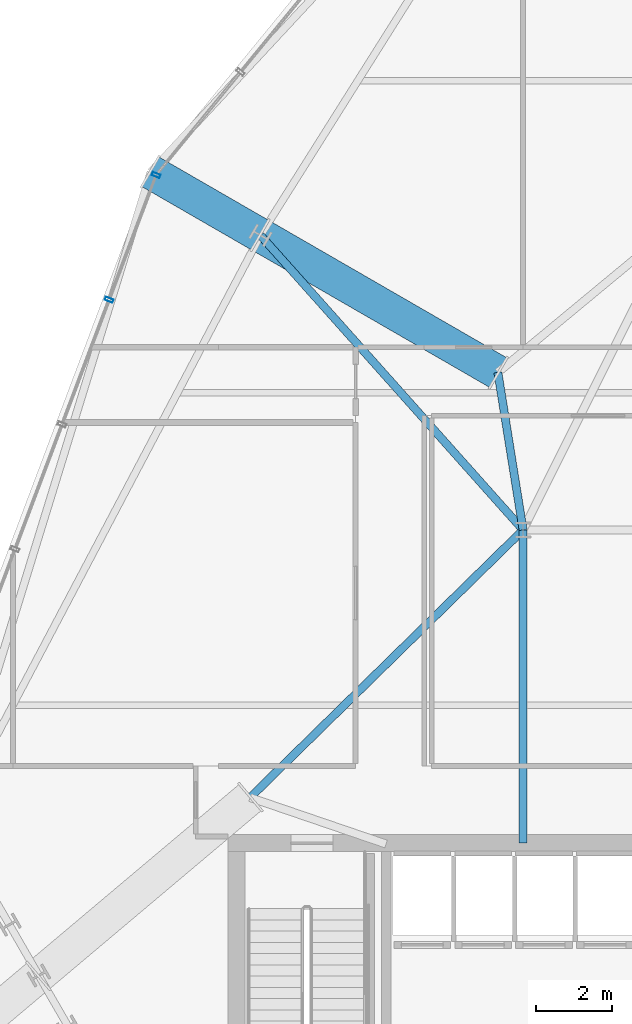
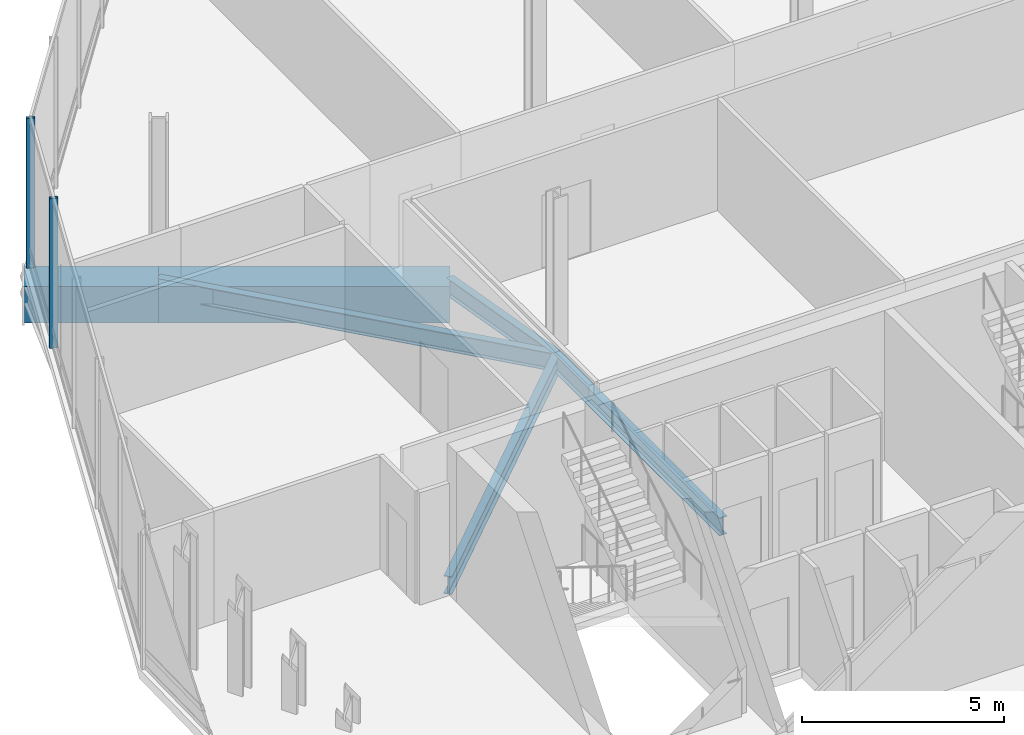
# One storey, part 7 of 26: 6 beams, 2 members, 1 element without a shape of its own.
"""IFC4 building model written with IfcOpenShell, lengths in metres."""

from ifc_helpers import new_model, si_unit, direction, frame, origin, origin_2d, place, context, subcontext, project, spatial, hollow_rectangle, i_section, extrude, material, layer, layer_set, material_profile, profile_set, type_object, element, aggregate, save


model = new_model("IFC4")

# Units and contexts
model_context = context("Model", 3, precision=1e-05, world=origin(), true_north=direction((0.0, 1.0)))
body_context = subcontext(model_context, "Body", "Model", "MODEL_VIEW")
ifc_project = project(units=[si_unit("LENGTHUNIT", "METRE"), si_unit("AREAUNIT", "SQUARE_METRE"), si_unit("VOLUMEUNIT", "CUBIC_METRE"), si_unit("PLANEANGLEUNIT", "RADIAN"), si_unit("MASSUNIT", "GRAM", prefix="KILO")], contexts=[model_context])

# Site, building, storey
site_placement = place(None, origin())
site = spatial("IfcSite", under=ifc_project, at=site_placement, CompositionType="ELEMENT")
building_placement = place(site_placement, origin())
building = spatial("IfcBuilding", under=site, at=building_placement, Name="Ndaravel Arena Tower", CompositionType="ELEMENT")
storey_placement = place(building_placement, frame((0.0, 0.0, 117.39990234375)))
storey = spatial("IfcBuildingStorey", under=building, at=storey_placement, Name="L27", CompositionType="ELEMENT", Elevation=117.39990234375)

# Beams
ifc_material_1 = material(Name="Steel S355", Category="steel")
ifc_material_profile_1 = material_profile(ifc_material_1, i_section(OverallWidth=0.210693359375, OverallDepth=0.53955078125, WebThickness=0.01171875, FlangeThickness=0.018798828125, FilletRadius=0.0126953125, at=origin_2d()), Name="UB 533x210x109")
ifc_profile_set_1 = profile_set([ifc_material_profile_1], Name="Steel S355")
beam_type_1 = type_object("IfcBeamType", Name="BM-GIRD-UB533", PredefinedType="BEAM", material=ifc_profile_set_1)
beam_1_placement = place(storey_placement, frame((27.3017578125, 30.938232421875, -0.549560546875), z_axis=(0.665425873653, -0.746463935279, 0.0), x_axis=(0.746463935279, 0.665425873653, 0.0)))
element("IfcBeam", 1, at=beam_1_placement, inside=storey, type_object=beam_type_1, Name="L27 Radial Floor Girder FG-19", PredefinedType="BEAM", context=body_context, shape_type="SweptSolid", body=[
    extrude(i_section(OverallWidth=0.210693359375, OverallDepth=0.53955078125, WebThickness=0.01171875, FlangeThickness=0.018798828125, FilletRadius=0.0126953125, at=origin_2d()), origin(), (0.0, 0.0, 1.0), 10.36669921875),
])
beam_2_placement = place(storey_placement, frame((34.199951171875, 14.97998046875, -0.549560546875), z_axis=(0.0, 1.0, 0.0), x_axis=(-1.0, 0.0, 0.0)))
element("IfcBeam", 2, at=beam_2_placement, inside=storey, type_object=beam_type_1, Name="L27 Spine Link Girder SLG-01", PredefinedType="BEAM", context=body_context, shape_type="SweptSolid", body=[
    extrude(i_section(OverallWidth=0.210693359375, OverallDepth=0.53955078125, WebThickness=0.01171875, FlangeThickness=0.018798828125, FilletRadius=0.0126953125, at=origin_2d()), origin(), (0.0, 0.0, 1.0), 8.219970703125),
])
beam_3_placement = place(storey_placement, frame((27.028076171875, 16.16943359375, -0.549560546875), z_axis=(0.714109294942, 0.700034224076, 0.0), x_axis=(-0.700034224076, 0.714109294942, 0.0)))
element("IfcBeam", 3, at=beam_3_placement, inside=storey, type_object=beam_type_1, Name="L27 Star Backspan Anchor Tie SAT2-1", PredefinedType="BEAM", context=body_context, shape_type="SweptSolid", body=[
    extrude(i_section(OverallWidth=0.210693359375, OverallDepth=0.53955078125, WebThickness=0.01171875, FlangeThickness=0.018798828125, FilletRadius=0.0126953125, at=origin_2d()), origin(), (0.0, 0.0, 1.0), 10.043212890625),
])
beam_4_placement = place(storey_placement, frame((34.199951171875, 23.199951171875, -0.549560546875), z_axis=(-0.158151802814, 0.987414810131, 0.0), x_axis=(-0.987414810131, -0.158151802814, 0.0)))
element("IfcBeam", 4, at=beam_4_placement, inside=storey, type_object=beam_type_1, Name="L27 Star Backspan Anchor Tie SAT1-6", PredefinedType="BEAM", context=body_context, shape_type="SweptSolid", body=[
    extrude(i_section(OverallWidth=0.210693359375, OverallDepth=0.53955078125, WebThickness=0.01171875, FlangeThickness=0.018798828125, FilletRadius=0.0126953125, at=origin_2d()), origin(), (0.0, 0.0, 1.0), 4.191162109375),
])
ifc_material_2 = material(Name="Steel S460", Category="steel")
ifc_material_profile_2 = material_profile(ifc_material_2, hollow_rectangle(XDim=0.89990234375, YDim=1.10009765625, WallThickness=0.06494140625, at=origin_2d()), Name="BOX 1100x900x65")
ifc_profile_set_2 = profile_set([ifc_material_profile_2], Name="Steel S460")
beam_type_2 = type_object("IfcBeamType", Name="BM-STAR-BOX1100", PredefinedType="BEAM", material=ifc_profile_set_2)
beam_5_placement = place(storey_placement, frame((33.537109375, 27.33837890625, -0.829833984375), z_axis=(-0.866033125095, 0.499986626058, 0.0), x_axis=(-0.499986626058, -0.866033125095, 0.0)))
element("IfcBeam", 5, at=beam_5_placement, inside=storey, type_object=beam_type_2, Name="L27 Star Cantilever Backspan Girder SBG-6", PredefinedType="BEAM", context=body_context, shape_type="SweptSolid", body=[
    extrude(hollow_rectangle(XDim=0.89990234375, YDim=1.10009765625, WallThickness=0.06494140625, at=origin_2d()), origin(), (0.0, 0.0, 1.0), 7.199951171875),
])
beam_6_placement = place(storey_placement, frame((27.3017578125, 30.938232421875, -0.829833984375), z_axis=(-0.866032982159, 0.499986873641, 0.0), x_axis=(-0.499986873641, -0.866032982159, 0.0)))
element("IfcBeam", 6, at=beam_6_placement, inside=storey, type_object=beam_type_2, Name="L27 Star Cantilever Tip Girder SCG-6", PredefinedType="BEAM", context=body_context, shape_type="SweptSolid", body=[
    extrude(hollow_rectangle(XDim=0.89990234375, YDim=1.10009765625, WallThickness=0.06494140625, at=origin_2d()), origin(), (0.0, 0.0, 1.0), 3.330078125),
])

# Curtain wall, members
ifc_material_3 = material(Name="Aluminium", Category="aluminium")
ifc_layer = layer(ifc_material_3, 0.179931640625)
ifc_layer_set = layer_set([ifc_layer], Name="Aluminium")
curtain_wall_type = type_object("IfcCurtainWallType", Name="CW-SYS-04", PredefinedType="NOTDEFINED", material=ifc_layer_set)
curtain_wall_placement = place(storey_placement, origin())
curtain_wall = element("IfcCurtainWall", 7, at=curtain_wall_placement, inside=storey, type_object=curtain_wall_type, Name="L27 Faceted Crystal Curtain Wall CW-L27-E11", PredefinedType="NOTDEFINED")
ifc_material_4 = material(Name="Aluminium", Category="aluminium")
ifc_material_profile_3 = material_profile(ifc_material_4, hollow_rectangle(XDim=0.090087890625, YDim=0.219970703125, WallThickness=0.0048828125, at=origin_2d()), Name="CW MULLION 90x220x5")
ifc_profile_set_3 = profile_set([ifc_material_profile_3], Name="Aluminium")
member_type = type_object("IfcMemberType", Name="MEM-CW-MUL220", PredefinedType="MULLION", material=ifc_profile_set_3)
member_1_placement = place(storey_placement, frame((24.55810546875, 32.522216796875, 0.0), z_axis=(0.0, 0.0, 1.0), x_axis=(-0.352805363625, -0.935696732599, 0.0)))
member_1 = element("IfcMember", 8, at=member_1_placement, type_object=member_type, Name="CW-L27-E11 Mullion 00", PredefinedType="MULLION", context=body_context, shape_type="SweptSolid", body=[
    extrude(hollow_rectangle(XDim=0.090087890625, YDim=0.219970703125, WallThickness=0.0048828125, at=origin_2d()), origin(), (0.0, 0.0, 1.0), 4.52001953125),
])
member_2_placement = place(storey_placement, frame((23.322998046875, 29.24609375, 0.0), z_axis=(0.0, 0.0, 1.0), x_axis=(-0.352805363625, -0.935696732599, 0.0)))
member_2 = element("IfcMember", 9, at=member_2_placement, type_object=member_type, Name="CW-L27-E11 Mullion 01", PredefinedType="MULLION", context=body_context, shape_type="SweptSolid", body=[
    extrude(hollow_rectangle(XDim=0.090087890625, YDim=0.219970703125, WallThickness=0.0048828125, at=origin_2d()), origin(), (0.0, 0.0, 1.0), 4.52001953125),
])
aggregate(curtain_wall, [member_1, member_2])

save(model, "model.ifc")
